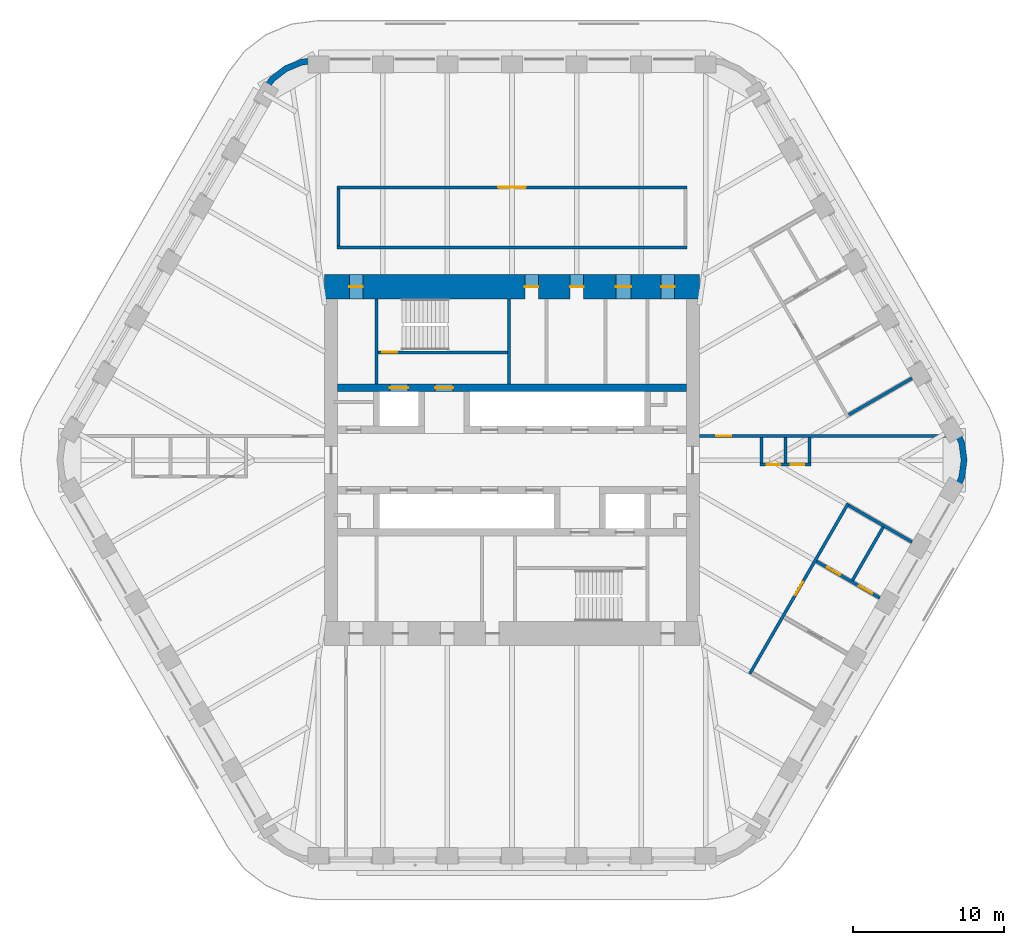
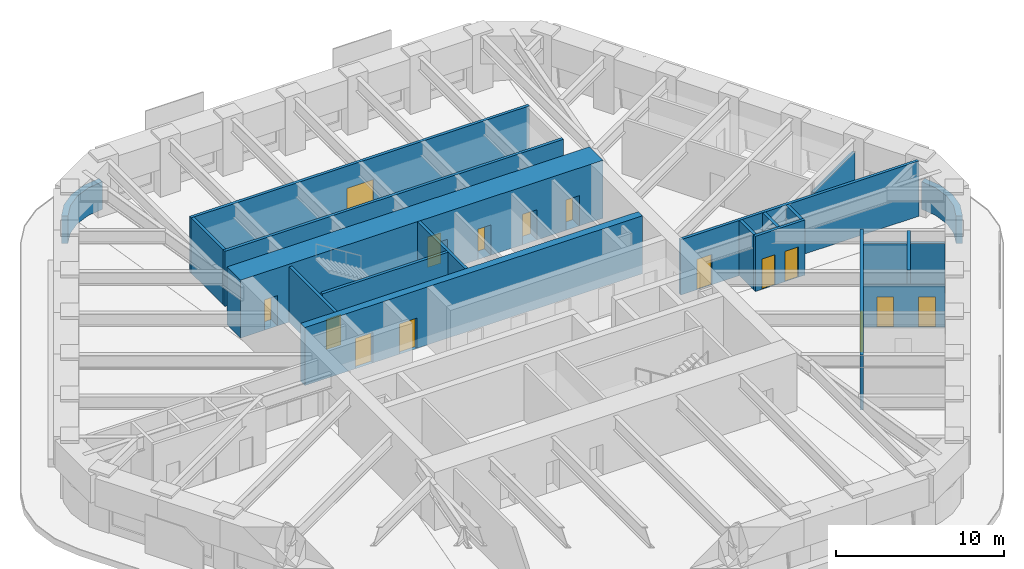
# One storey, part 15 of 18: 20 walls, 15 doors, 15 openings.
"""IFC4 building model written with IfcOpenShell, lengths in metres."""

from ifc_helpers import new_model, si_unit, direction, frame, frame_2d, origin, place, context, subcontext, project, spatial, polyline, rectangle, outline, extrude, material, layer, layer_set, type_object, element, fill, save


model = new_model("IFC4")

# Units and contexts
model_context = context("Model", 3, precision=1e-05, world=origin(), true_north=direction((0.0, 1.0)))
body_context = subcontext(model_context, "Body", "Model", "MODEL_VIEW")
ifc_project = project(units=[si_unit("LENGTHUNIT", "METRE"), si_unit("AREAUNIT", "SQUARE_METRE"), si_unit("VOLUMEUNIT", "CUBIC_METRE"), si_unit("PLANEANGLEUNIT", "RADIAN"), si_unit("MASSUNIT", "GRAM", prefix="KILO")], contexts=[model_context])

# Site, building, storey
site_placement = place(None, origin())
site = spatial("IfcSite", under=ifc_project, at=site_placement, CompositionType="ELEMENT")
building_placement = place(site_placement, origin())
building = spatial("IfcBuilding", under=site, at=building_placement, Name="Tarfa Lantern Tower", CompositionType="ELEMENT")
storey_placement = place(building_placement, frame((0.0, 0.0, 319.89990234375)))
storey = spatial("IfcBuildingStorey", under=building, at=storey_placement, Name="L72", CompositionType="ELEMENT", Elevation=319.89990234375)

# Walls
ifc_material_1 = material(Name="Limestone cladding on blockwork", Category="masonry")
ifc_layer_1 = layer(ifc_material_1, 0.39990234375)
ifc_layer_set_1 = layer_set([ifc_layer_1], Name="EW2 CURVED STONE CORNER 400")
wall_type_1 = type_object("IfcWallType", Name="EW2 CURVED STONE CORNER 400", PredefinedType="SOLIDWALL", material=ifc_layer_set_1)
wall_1_placement = place(storey_placement, origin())
element("IfcWall", 1, at=wall_1_placement, inside=storey, type_object=wall_type_1, Name="Stone corner N-NW", PredefinedType="SOLIDWALL", context=body_context, shape_type="SweptSolid", body=[
    extrude(outline(polyline([(-12.845947265625, 26.75), (-14.0107421875, 26.5966796875), (-15.095947265625, 26.147216796875), (-16.028076171875, 25.431884765625), (-16.7431640625, 24.5), (-16.396728515625, 24.300048828125), (-15.7451171875, 25.149169921875), (-14.89599609375, 25.80078125), (-13.9072265625, 26.210205078125), (-12.845947265625, 26.35009765625), (-12.845947265625, 26.75)])), origin(), (0.0, 0.0, 1.0), 2.0),
])
wall_2_placement = place(storey_placement, origin())
element("IfcWall", 2, at=wall_2_placement, inside=storey, type_object=wall_type_1, Name="Stone corner SE-NE", PredefinedType="SOLIDWALL", context=body_context, shape_type="SweptSolid", body=[
    extrude(outline(polyline([(29.589111328125, -2.25), (30.038818359375, -1.164794921875), (30.192138671875, 0.0), (30.038818359375, 1.164794921875), (29.589111328125, 2.25), (29.24267578125, 2.050048828125), (29.65234375, 1.061279296875), (29.7919921875, 0.0), (29.65234375, -1.061279296875), (29.24267578125, -2.050048828125), (29.589111328125, -2.25)])), origin(), (0.0, 0.0, 1.0), 2.0),
])
ifc_material_2 = material(Name="Concrete blockwork", Category="masonry")
ifc_layer_2 = layer(ifc_material_2, 0.199951171875)
ifc_layer_set_2 = layer_set([ifc_layer_2], Name="IW1 BLOCKWORK PARTITION 200 EI 120")
wall_type_2 = type_object("IfcWallType", Name="IW1 BLOCKWORK PARTITION 200 EI 120", PredefinedType="PARTITIONING", material=ifc_layer_set_2)
wall_3_placement = place(storey_placement, frame((-9.0, 5.050048828125, 0.0), z_axis=(0.0, 0.0, 1.0), x_axis=(0.0, 1.0, 0.0)))
element("IfcWall", 3, at=wall_3_placement, inside=storey, type_object=wall_type_2, Name="Core partition", PredefinedType="PARTITIONING", context=body_context, shape_type="SweptSolid", body=[
    extrude(rectangle(XDim=5.64990234375, YDim=0.199951171875, at=frame_2d((2.824951171875, 0.0))), origin(), (0.0, 0.0, 1.0), 4.0),
])
ifc_material_3 = material(Name="Gypsum board on steel studs", Category="steel")
ifc_layer_3 = layer(ifc_material_3, 0.2099609375)
ifc_layer_set_3 = layer_set([ifc_layer_3], Name="IW2 ACOUSTIC PARTITION 200")
wall_type_3 = type_object("IfcWallType", Name="IW2 ACOUSTIC PARTITION 200", PredefinedType="PARTITIONING", material=ifc_layer_set_3)
wall_4_placement = place(storey_placement, frame((-11.60009765625, 14.10009765625, 0.0), z_axis=(0.0, 0.0, 1.0), x_axis=(1.0, 0.0, 0.0)))
element("IfcWall", 4, at=wall_4_placement, inside=storey, type_object=wall_type_3, Name="Partition", PredefinedType="PARTITIONING", context=body_context, shape_type="SweptSolid", body=[
    extrude(rectangle(XDim=23.2001953125, YDim=0.199951171875, at=frame_2d((11.60009765625, 0.0))), origin(), (0.0, 0.0, 1.0), 4.0),
])

# Wall, opening, door
wall_5_placement = place(storey_placement, frame((-11.60009765625, 18.10009765625, 0.0), z_axis=(0.0, 0.0, 1.0), x_axis=(1.0, 0.0, 0.0)))
wall_5 = element("IfcWall", 5, at=wall_5_placement, inside=storey, type_object=wall_type_3, Name="Partition", PredefinedType="PARTITIONING", context=body_context, shape_type="SweptSolid", body=[
    extrude(rectangle(XDim=23.2001953125, YDim=0.199951171875, at=frame_2d((11.60009765625, 0.0))), origin(), (0.0, 0.0, 1.0), 4.0),
])
opening_1_placement = place(wall_5_placement, frame((10.699951171875, 0.0, 0.0)))
opening_1 = element("IfcOpeningElement", 6, at=opening_1_placement, cuts=wall_5, Name="Opening D29", PredefinedType="OPENING", context=body_context, shape_type="SweptSolid", body=[
    extrude(rectangle(XDim=1.800048828125, YDim=2.39990234375, at=frame_2d((0.89990234375, 1.199951171875))), frame((0.0, 0.10986328125, 0.0), z_axis=(0.0, -1.0, 0.0), x_axis=(1.0, 0.0, 0.0)), (0.0, 0.0, 1.0), 0.219970703125),
])
ifc_material_4 = material(Name="Timber door", Category="wood")
door_type_1 = type_object("IfcDoorType", Name="DR2 ROOM DOOR 1800x2400", OperationType="DOUBLE_DOOR_SINGLE_SWING", PredefinedType="DOOR", material=ifc_material_4)
door_1_placement = place(opening_1_placement, frame((1.800048828125, 0.0, 0.0), z_axis=(0.0, 0.0, 1.0), x_axis=(-1.0, 0.0, 0.0)))
door_1 = element("IfcDoor", 7, at=door_1_placement, inside=storey, type_object=door_type_1, Name="Meeting room door", OperationType="DOUBLE_DOOR_SINGLE_SWING", OverallHeight=2.39990234375, OverallWidth=1.800048828125, PredefinedType="DOOR", context=body_context, shape_type="SweptSolid", body=[
    extrude(rectangle(XDim=1.800048828125, YDim=2.39990234375, at=frame_2d((0.89990234375, 1.199951171875))), frame((0.0, 0.02490234375, 0.0), z_axis=(0.0, -1.0, 0.0), x_axis=(1.0, 0.0, 0.0)), (0.0, 0.0, 1.0), 0.050048828125),
])
fill(opening_1, door_1)

# Walls
wall_6_placement = place(storey_placement, frame((-11.5, 14.199951171875, 0.0), z_axis=(0.0, 0.0, 1.0), x_axis=(0.0, 1.0, 0.0)))
element("IfcWall", 8, at=wall_6_placement, inside=storey, type_object=wall_type_3, Name="Partition", PredefinedType="PARTITIONING", context=body_context, shape_type="SweptSolid", body=[
    extrude(rectangle(XDim=3.800048828125, YDim=0.199951171875, at=frame_2d((1.89990234375, 0.0))), origin(), (0.0, 0.0, 1.0), 4.0),
])
wall_7_placement = place(storey_placement, frame((22.338623046875, 3.00830078125, 0.0), z_axis=(0.0, 0.0, 1.0), x_axis=(0.866019606374, 0.500010041276, 0.0)))
element("IfcWall", 9, at=wall_7_placement, inside=storey, type_object=wall_type_3, Name="Partition", PredefinedType="PARTITIONING", context=body_context, shape_type="SweptSolid", body=[
    extrude(rectangle(XDim=4.85009765625, YDim=0.199951171875, at=frame_2d((2.425048828125, 0.0))), origin(), (0.0, 0.0, 1.0), 3.081787109375),
])

# Wall, opening, door
wall_8_placement = place(storey_placement, frame((15.779052734375, -14.169921875, 0.0), z_axis=(0.0, 0.0, 1.0), x_axis=(0.499999460936, 0.866025715013, 0.0)))
wall_8 = element("IfcWall", 10, at=wall_8_placement, inside=storey, type_object=wall_type_3, Name="Partition", PredefinedType="PARTITIONING", context=body_context, shape_type="SweptSolid", body=[
    extrude(rectangle(XDim=13.0458984375, YDim=0.199951171875, at=frame_2d((6.52294921875, 0.0))), origin(), (0.0, 0.0, 1.0), 4.0),
])
opening_2_placement = place(wall_8_placement, frame((6.02294921875, 0.0, 0.0)))
opening_2 = element("IfcOpeningElement", 11, at=opening_2_placement, cuts=wall_8, Name="Opening D26", PredefinedType="OPENING", context=body_context, shape_type="SweptSolid", body=[
    extrude(rectangle(XDim=1.0, YDim=2.199951171875, at=frame_2d((0.5, 1.10009765625))), frame((0.0, 0.10986328125, 0.0), z_axis=(0.0, -1.0, 0.0), x_axis=(1.0, 0.0, 0.0)), (0.0, 0.0, 1.0), 0.219970703125),
])
door_type_2 = type_object("IfcDoorType", Name="DR1 ROOM DOOR 1000x2200", OperationType="SINGLE_SWING_LEFT", PredefinedType="DOOR", material=ifc_material_4)
door_2_placement = place(opening_2_placement, frame((1.0, 0.0, 0.0), z_axis=(0.0, 0.0, 1.0), x_axis=(-1.0, 0.0, 0.0)))
door_2 = element("IfcDoor", 12, at=door_2_placement, inside=storey, type_object=door_type_2, Name="PA area door", OperationType="SINGLE_SWING_RIGHT", OverallHeight=2.199951171875, OverallWidth=1.0, PredefinedType="DOOR", context=body_context, shape_type="SweptSolid", body=[
    extrude(rectangle(XDim=1.0, YDim=2.199951171875, at=frame_2d((0.5, 1.10009765625))), frame((0.0, 0.02490234375, 0.0), z_axis=(0.0, -1.0, 0.0), x_axis=(1.0, 0.0, 0.0)), (0.0, 0.0, 1.0), 0.050048828125),
])
fill(opening_2, door_2)

# Wall, openings, doors
wall_9_placement = place(storey_placement, frame((20.19775390625, -6.716552734375, 0.0), z_axis=(0.0, 0.0, 1.0), x_axis=(0.866019606374, -0.500010041276, 0.0)))
wall_9 = element("IfcWall", 13, at=wall_9_placement, inside=storey, type_object=wall_type_3, Name="Partition", PredefinedType="PARTITIONING", context=body_context, shape_type="SweptSolid", body=[
    extrude(rectangle(XDim=4.85009765625, YDim=0.199951171875, at=frame_2d((2.425048828125, 0.0))), origin(), (0.0, 0.0, 1.0), 2.991943359375),
])
opening_3_placement = place(wall_9_placement, frame((0.800048828125, 0.0, 0.0)))
opening_3 = element("IfcOpeningElement", 14, at=opening_3_placement, cuts=wall_9, Name="Opening D27", PredefinedType="OPENING", context=body_context, shape_type="SweptSolid", body=[
    extrude(rectangle(XDim=1.0, YDim=2.199951171875, at=frame_2d((0.5, 1.10009765625))), frame((0.0, 0.10986328125, 0.0), z_axis=(0.0, -1.0, 0.0), x_axis=(1.0, 0.0, 0.0)), (0.0, 0.0, 1.0), 0.219970703125),
])
opening_4_placement = place(wall_9_placement, frame((3.27490234375, 0.0, 0.0)))
opening_4 = element("IfcOpeningElement", 15, at=opening_4_placement, cuts=wall_9, Name="Opening D28", PredefinedType="OPENING", context=body_context, shape_type="SweptSolid", body=[
    extrude(rectangle(XDim=1.0, YDim=2.199951171875, at=frame_2d((0.5, 1.10009765625))), frame((0.0, 0.10986328125, 0.0), z_axis=(0.0, -1.0, 0.0), x_axis=(1.0, 0.0, 0.0)), (0.0, 0.0, 1.0), 0.219970703125),
])
door_3_placement = place(opening_3_placement, origin())
door_3 = element("IfcDoor", 16, at=door_3_placement, inside=storey, type_object=door_type_2, Name="Meeting room door", OperationType="SINGLE_SWING_RIGHT", OverallHeight=2.199951171875, OverallWidth=1.0, PredefinedType="DOOR", context=body_context, shape_type="SweptSolid", body=[
    extrude(rectangle(XDim=1.0, YDim=2.199951171875, at=frame_2d((0.5, 1.10009765625))), frame((0.0, 0.02490234375, 0.0), z_axis=(0.0, -1.0, 0.0), x_axis=(1.0, 0.0, 0.0)), (0.0, 0.0, 1.0), 0.050048828125),
])
fill(opening_3, door_3)
door_4_placement = place(opening_4_placement, origin())
door_4 = element("IfcDoor", 17, at=door_4_placement, inside=storey, type_object=door_type_2, Name="Pantry door", OperationType="SINGLE_SWING_RIGHT", OverallHeight=2.199951171875, OverallWidth=1.0, PredefinedType="DOOR", context=body_context, shape_type="SweptSolid", body=[
    extrude(rectangle(XDim=1.0, YDim=2.199951171875, at=frame_2d((0.5, 1.10009765625))), frame((0.0, 0.02490234375, 0.0), z_axis=(0.0, -1.0, 0.0), x_axis=(1.0, 0.0, 0.0)), (0.0, 0.0, 1.0), 0.050048828125),
])
fill(opening_4, door_4)

# Walls
wall_10_placement = place(storey_placement, frame((22.338623046875, -3.00830078125, 0.0), z_axis=(0.0, 0.0, 1.0), x_axis=(0.866019606374, -0.500010041276, 0.0)))
element("IfcWall", 18, at=wall_10_placement, inside=storey, type_object=wall_type_3, Name="Partition", PredefinedType="PARTITIONING", context=body_context, shape_type="SweptSolid", body=[
    extrude(rectangle(XDim=4.85009765625, YDim=0.199951171875, at=frame_2d((2.425048828125, 0.0))), origin(), (0.0, 0.0, 1.0), 3.081787109375),
])
wall_11_placement = place(storey_placement, frame((22.5859375, -7.97998046875, 0.0), z_axis=(0.0, 0.0, 1.0), x_axis=(0.499998569178, 0.866026229868, 0.0)))
element("IfcWall", 19, at=wall_11_placement, inside=storey, type_object=wall_type_3, Name="Partition", PredefinedType="PARTITIONING", context=body_context, shape_type="SweptSolid", body=[
    extrude(rectangle(XDim=4.08203125, YDim=0.199951171875, at=frame_2d((2.041015625, 0.0))), origin(), (0.0, 0.0, 1.0), 4.0),
])

# Wall, opening, door
wall_12_placement = place(storey_placement, frame((12.425048828125, 1.60009765625, 0.0), z_axis=(0.0, 0.0, 1.0), x_axis=(1.0, 0.0, 0.0)))
wall_12 = element("IfcWall", 20, at=wall_12_placement, inside=storey, type_object=wall_type_3, Name="Partition", PredefinedType="PARTITIONING", context=body_context, shape_type="SweptSolid", body=[
    extrude(rectangle(XDim=16.326904296875, YDim=0.199951171875, at=frame_2d((8.16357421875, 0.0))), origin(), (0.0, 0.0, 1.0), 4.0),
])
opening_5_placement = place(wall_12_placement, frame((1.1328125, 0.0, 0.0)))
opening_5 = element("IfcOpeningElement", 21, at=opening_5_placement, cuts=wall_12, Name="Opening D35", PredefinedType="OPENING", context=body_context, shape_type="SweptSolid", body=[
    extrude(rectangle(XDim=1.0, YDim=2.199951171875, at=frame_2d((0.5, 1.10009765625))), frame((0.0, 0.10986328125, 0.0), z_axis=(0.0, -1.0, 0.0), x_axis=(1.0, 0.0, 0.0)), (0.0, 0.0, 1.0), 0.219970703125),
])
door_5_placement = place(opening_5_placement, frame((1.0, 0.0, 0.0), z_axis=(0.0, 0.0, 1.0), x_axis=(-1.0, 0.0, 0.0)))
door_5 = element("IfcDoor", 22, at=door_5_placement, inside=storey, type_object=door_type_2, Name="Zone door", OperationType="SINGLE_SWING_LEFT", OverallHeight=2.199951171875, OverallWidth=1.0, PredefinedType="DOOR", context=body_context, shape_type="SweptSolid", body=[
    extrude(rectangle(XDim=1.0, YDim=2.199951171875, at=frame_2d((0.5, 1.10009765625))), frame((0.0, 0.02490234375, 0.0), z_axis=(0.0, -1.0, 0.0), x_axis=(1.0, 0.0, 0.0)), (0.0, 0.0, 1.0), 0.050048828125),
])
fill(opening_5, door_5)

# Wall, openings, doors
wall_13_placement = place(storey_placement, frame((16.439453125, -0.300048828125, 0.0), z_axis=(0.0, 0.0, 1.0), x_axis=(1.0, 0.0, 0.0)))
wall_13 = element("IfcWall", 23, at=wall_13_placement, inside=storey, type_object=wall_type_3, Name="Partition", PredefinedType="PARTITIONING", context=body_context, shape_type="SweptSolid", body=[
    extrude(rectangle(XDim=3.39990234375, YDim=0.199951171875, at=frame_2d((1.699951171875, 0.0))), origin(), (0.0, 0.0, 1.0), 4.0),
])
opening_6_placement = place(wall_13_placement, frame((0.449951171875, 0.0, 0.0)))
opening_6 = element("IfcOpeningElement", 24, at=opening_6_placement, cuts=wall_13, Name="Opening D33", PredefinedType="OPENING", context=body_context, shape_type="SweptSolid", body=[
    extrude(rectangle(XDim=0.89990234375, YDim=2.199951171875, at=frame_2d((0.449951171875, 1.10009765625))), frame((0.0, 0.10986328125, 0.0), z_axis=(0.0, -1.0, 0.0), x_axis=(1.0, 0.0, 0.0)), (0.0, 0.0, 1.0), 0.219970703125),
])
opening_7_placement = place(wall_13_placement, frame((2.050048828125, 0.0, 0.0)))
opening_7 = element("IfcOpeningElement", 25, at=opening_7_placement, cuts=wall_13, Name="Opening D34", PredefinedType="OPENING", context=body_context, shape_type="SweptSolid", body=[
    extrude(rectangle(XDim=0.89990234375, YDim=2.199951171875, at=frame_2d((0.449951171875, 1.10009765625))), frame((0.0, 0.10986328125, 0.0), z_axis=(0.0, -1.0, 0.0), x_axis=(1.0, 0.0, 0.0)), (0.0, 0.0, 1.0), 0.219970703125),
])
door_type_3 = type_object("IfcDoorType", Name="DR3 ROOM DOOR 900x2200", OperationType="SINGLE_SWING_LEFT", PredefinedType="DOOR", material=ifc_material_4)
door_6_placement = place(opening_6_placement, origin())
door_6 = element("IfcDoor", 26, at=door_6_placement, inside=storey, type_object=door_type_3, Name="Phone booth door", OperationType="SINGLE_SWING_RIGHT", OverallHeight=2.199951171875, OverallWidth=0.89990234375, PredefinedType="DOOR", context=body_context, shape_type="SweptSolid", body=[
    extrude(rectangle(XDim=0.89990234375, YDim=2.199951171875, at=frame_2d((0.449951171875, 1.10009765625))), frame((0.0, 0.02490234375, 0.0), z_axis=(0.0, -1.0, 0.0), x_axis=(1.0, 0.0, 0.0)), (0.0, 0.0, 1.0), 0.050048828125),
])
fill(opening_6, door_6)
door_7_placement = place(opening_7_placement, origin())
door_7 = element("IfcDoor", 27, at=door_7_placement, inside=storey, type_object=door_type_3, Name="Phone booth door", OperationType="SINGLE_SWING_LEFT", OverallHeight=2.199951171875, OverallWidth=0.89990234375, PredefinedType="DOOR", context=body_context, shape_type="SweptSolid", body=[
    extrude(rectangle(XDim=0.89990234375, YDim=2.199951171875, at=frame_2d((0.449951171875, 1.10009765625))), frame((0.0, 0.02490234375, 0.0), z_axis=(0.0, -1.0, 0.0), x_axis=(1.0, 0.0, 0.0)), (0.0, 0.0, 1.0), 0.050048828125),
])
fill(opening_7, door_7)

# Walls
for number, where, z_axis, x_axis, name in (
    (28, (16.53955078125, 1.5, 0.0), (0.0, 0.0, 1.0), (0.0, -1.0, 0.0), "Partition"),
    (29, (18.139404296875, 1.5, 0.0), (0.0, 0.0, 1.0), (0.0, -1.0, 0.0), "Partition"),
    (30, (19.739501953125, 1.5, 0.0), (0.0, 0.0, 1.0), (0.0, -1.0, 0.0), "Partition"),
):
    element("IfcWall", number, at=place(storey_placement, frame(where, z_axis=z_axis, x_axis=x_axis)), inside=storey, type_object=wall_type_3, Name=name, PredefinedType="PARTITIONING", context=body_context, shape_type="SweptSolid", body=[
        extrude(rectangle(XDim=1.699951171875, YDim=0.199951171875, at=frame_2d((0.85009765625, 0.0))), origin(), (0.0, 0.0, 1.0), 4.0),
    ])
ifc_material_5 = material(Name="Concrete C80/95", Category="concrete")
ifc_layer_4 = layer(ifc_material_5, 0.199951171875)
ifc_layer_set_4 = layer_set([ifc_layer_4], Name="SW12 CORE WALL 200")
wall_type_4 = type_object("IfcWallType", Name="SW12 CORE WALL 200", PredefinedType="SHEAR", material=ifc_layer_set_4)
wall_14_placement = place(storey_placement, frame((-0.199951171875, 5.050048828125, 0.0), z_axis=(0.0, 0.0, 1.0), x_axis=(0.0, 1.0, 0.0)))
element("IfcWall", 31, at=wall_14_placement, inside=storey, type_object=wall_type_4, Name="Core wall stair shaft N", PredefinedType="SHEAR", context=body_context, shape_type="SweptSolid", body=[
    extrude(rectangle(XDim=5.64990234375, YDim=0.199951171875, at=frame_2d((2.824951171875, 0.0))), origin(), (0.0, 0.0, 1.0), 4.2001953125),
])

# Wall, opening, door
wall_15_placement = place(storey_placement, frame((-8.89990234375, 7.14990234375, 0.0), z_axis=(0.0, 0.0, 1.0), x_axis=(1.0, 0.0, 0.0)))
wall_15 = element("IfcWall", 32, at=wall_15_placement, inside=storey, type_object=wall_type_4, Name="Core wall stair partition N", PredefinedType="SHEAR", context=body_context, shape_type="SweptSolid", body=[
    extrude(rectangle(XDim=8.599853515625, YDim=0.199951171875, at=frame_2d((4.2998046875, 0.0))), origin(), (0.0, 0.0, 1.0), 4.2001953125),
])
opening_8_placement = place(wall_15_placement, frame((0.300048828125, 0.0, 0.0)))
opening_8 = element("IfcOpeningElement", 33, at=opening_8_placement, cuts=wall_15, Name="Opening D19", PredefinedType="OPENING", context=body_context, shape_type="SweptSolid", body=[
    extrude(rectangle(XDim=1.0, YDim=2.199951171875, at=frame_2d((0.5, 1.10009765625))), frame((0.0, 0.10986328125, 0.0), z_axis=(0.0, -1.0, 0.0), x_axis=(1.0, 0.0, 0.0)), (0.0, 0.0, 1.0), 0.219970703125),
])
ifc_material_6 = material(Name="Steel fire door", Category="steel")
door_type_4 = type_object("IfcDoorType", Name="DF2 STAIR DOOR 1000x2200", OperationType="SINGLE_SWING_LEFT", PredefinedType="DOOR", material=ifc_material_6)
door_8_placement = place(opening_8_placement, origin())
door_8 = element("IfcDoor", 34, at=door_8_placement, inside=storey, type_object=door_type_4, Name="Stair door", OperationType="SINGLE_SWING_RIGHT", OverallHeight=2.199951171875, OverallWidth=1.0, PredefinedType="DOOR", context=body_context, shape_type="SweptSolid", body=[
    extrude(rectangle(XDim=1.0, YDim=2.199951171875, at=frame_2d((0.5, 1.10009765625))), frame((0.0, 0.02490234375, 0.0), z_axis=(0.0, -1.0, 0.0), x_axis=(1.0, 0.0, 0.0)), (0.0, 0.0, 1.0), 0.050048828125),
])
fill(opening_8, door_8)

# Wall, openings, doors
ifc_layer_5 = layer(ifc_material_5, 0.5)
ifc_layer_set_5 = layer_set([ifc_layer_5], Name="SW5 CORE WALL 500")
wall_type_5 = type_object("IfcWallType", Name="SW5 CORE WALL 500", PredefinedType="SHEAR", material=ifc_layer_set_5)
wall_16_placement = place(storey_placement, frame((-11.574951171875, 4.800048828125, 0.0), z_axis=(0.0, 0.0, 1.0), x_axis=(1.0, 0.0, 0.0)))
wall_16 = element("IfcWall", 35, at=wall_16_placement, inside=storey, type_object=wall_type_5, Name="Core wall rear N", PredefinedType="SHEAR", context=body_context, shape_type="SweptSolid", body=[
    extrude(rectangle(XDim=23.14990234375, YDim=0.5, at=frame_2d((11.574951171875, 0.0))), origin(), (0.0, 0.0, 1.0), 4.2001953125),
])
opening_9_placement = place(wall_16_placement, frame((6.47509765625, 0.0, 0.0)))
opening_9 = element("IfcOpeningElement", 36, at=opening_9_placement, cuts=wall_16, Name="Opening D05", PredefinedType="OPENING", context=body_context, shape_type="SweptSolid", body=[
    extrude(rectangle(XDim=1.199951171875, YDim=2.199951171875, at=frame_2d((0.60009765625, 1.10009765625))), frame((0.0, 0.260009765625, 0.0), z_axis=(0.0, -1.0, 0.0), x_axis=(1.0, 0.0, 0.0)), (0.0, 0.0, 1.0), 0.52001953125),
])
opening_10_placement = place(wall_16_placement, frame((3.47509765625, 0.0, 0.0)))
opening_10 = element("IfcOpeningElement", 37, at=opening_10_placement, cuts=wall_16, Name="Opening LD01", PredefinedType="OPENING", context=body_context, shape_type="SweptSolid", body=[
    extrude(rectangle(XDim=1.199951171875, YDim=2.199951171875, at=frame_2d((0.60009765625, 1.10009765625))), frame((0.0, 0.260009765625, 0.0), z_axis=(0.0, -1.0, 0.0), x_axis=(1.0, 0.0, 0.0)), (0.0, 0.0, 1.0), 0.52001953125),
])
door_type_5 = type_object("IfcDoorType", Name="DF1 FIREFIGHTING LOBBY DOOR 1200x2200", OperationType="SINGLE_SWING_LEFT", PredefinedType="DOOR", material=ifc_material_6)
door_9_placement = place(opening_9_placement, origin())
door_9 = element("IfcDoor", 38, at=door_9_placement, inside=storey, type_object=door_type_5, Name="Firefighting lobby door", OperationType="SINGLE_SWING_LEFT", OverallHeight=2.199951171875, OverallWidth=1.199951171875, PredefinedType="DOOR", context=body_context, shape_type="SweptSolid", body=[
    extrude(rectangle(XDim=1.199951171875, YDim=2.199951171875, at=frame_2d((0.60009765625, 1.10009765625))), frame((0.0, 0.02490234375, 0.0), z_axis=(0.0, -1.0, 0.0), x_axis=(1.0, 0.0, 0.0)), (0.0, 0.0, 1.0), 0.050048828125),
])
fill(opening_9, door_9)
ifc_material_7 = material(Name="Stainless steel lift door", Category="steel")
door_type_6 = type_object("IfcDoorType", Name="LD1 LIFT LANDING DOOR 1200x2200", OperationType="SLIDING_TO_LEFT", PredefinedType="DOOR", material=ifc_material_7)
door_10_placement = place(opening_10_placement, origin())
door_10 = element("IfcDoor", 39, at=door_10_placement, inside=storey, type_object=door_type_6, Name="Landing door FL1", OperationType="SLIDING_TO_LEFT", OverallHeight=2.199951171875, OverallWidth=1.199951171875, PredefinedType="DOOR", context=body_context, shape_type="SweptSolid", body=[
    extrude(rectangle(XDim=1.199951171875, YDim=2.199951171875, at=frame_2d((0.60009765625, 1.10009765625))), frame((0.0, 0.02490234375, 0.0), z_axis=(0.0, -1.0, 0.0), x_axis=(1.0, 0.0, 0.0)), (0.0, 0.0, 1.0), 0.050048828125),
])
fill(opening_10, door_10)

ifc_layer_6 = layer(ifc_material_5, 1.60009765625)
ifc_layer_set_6 = layer_set([ifc_layer_6], Name="SW7 CORE WALL 1600")
wall_type_6 = type_object("IfcWallType", Name="SW7 CORE WALL 1600", PredefinedType="SHEAR", material=ifc_layer_set_6)
wall_17_placement = place(storey_placement, frame((-12.425048828125, 11.5, 0.0), z_axis=(0.0, 0.0, 1.0), x_axis=(1.0, 0.0, 0.0)))
wall_17 = element("IfcWall", 40, at=wall_17_placement, inside=storey, type_object=wall_type_6, Name="Core wall N", PredefinedType="SHEAR", context=body_context, shape_type="SweptSolid", body=[
    extrude(rectangle(XDim=24.85009765625, YDim=1.60009765625, at=frame_2d((12.425048828125, 0.0))), origin(), (0.0, 0.0, 1.0), 4.2001953125),
])
opening_11_placement = place(wall_17_placement, frame((13.27490234375, 0.0, 0.0)))
opening_11 = element("IfcOpeningElement", 41, at=opening_11_placement, cuts=wall_17, Name="Opening D13", PredefinedType="OPENING", context=body_context, shape_type="SweptSolid", body=[
    extrude(rectangle(XDim=0.89990234375, YDim=2.199951171875, at=frame_2d((0.449951171875, 1.10009765625))), frame((0.0, 0.81005859375, 0.0), z_axis=(0.0, -1.0, 0.0), x_axis=(1.0, 0.0, 0.0)), (0.0, 0.0, 1.0), 1.6201171875),
])
opening_12_placement = place(wall_17_placement, frame((16.27490234375, 0.0, 0.0)))
opening_12 = element("IfcOpeningElement", 42, at=opening_12_placement, cuts=wall_17, Name="Opening D15", PredefinedType="OPENING", context=body_context, shape_type="SweptSolid", body=[
    extrude(rectangle(XDim=0.89990234375, YDim=2.199951171875, at=frame_2d((0.449951171875, 1.10009765625))), frame((0.0, 0.81005859375, 0.0), z_axis=(0.0, -1.0, 0.0), x_axis=(1.0, 0.0, 0.0)), (0.0, 0.0, 1.0), 1.6201171875),
])
opening_13_placement = place(wall_17_placement, frame((19.324951171875, 0.0, 0.0)))
opening_13 = element("IfcOpeningElement", 43, at=opening_13_placement, cuts=wall_17, Name="Opening D17", PredefinedType="OPENING", context=body_context, shape_type="SweptSolid", body=[
    extrude(rectangle(XDim=1.0, YDim=2.199951171875, at=frame_2d((0.5, 1.10009765625))), frame((0.0, 0.81005859375, 0.0), z_axis=(0.0, -1.0, 0.0), x_axis=(1.0, 0.0, 0.0)), (0.0, 0.0, 1.0), 1.6201171875),
])
opening_14_placement = place(wall_17_placement, frame((1.637451171875, 0.0, 0.0)))
opening_14 = element("IfcOpeningElement", 44, at=opening_14_placement, cuts=wall_17, Name="Opening D03", PredefinedType="OPENING", context=body_context, shape_type="SweptSolid", body=[
    extrude(rectangle(XDim=0.89990234375, YDim=2.199951171875, at=frame_2d((0.449951171875, 1.10009765625))), frame((0.0, 0.81005859375, 0.0), z_axis=(0.0, -1.0, 0.0), x_axis=(1.0, 0.0, 0.0)), (0.0, 0.0, 1.0), 1.6201171875),
])
opening_15_placement = place(wall_17_placement, frame((22.3125, 0.0, 0.0)))
opening_15 = element("IfcOpeningElement", 45, at=opening_15_placement, cuts=wall_17, Name="Opening D01", PredefinedType="OPENING", context=body_context, shape_type="SweptSolid", body=[
    extrude(rectangle(XDim=0.89990234375, YDim=2.199951171875, at=frame_2d((0.449951171875, 1.10009765625))), frame((0.0, 0.81005859375, 0.0), z_axis=(0.0, -1.0, 0.0), x_axis=(1.0, 0.0, 0.0)), (0.0, 0.0, 1.0), 1.6201171875),
])
door_type_7 = type_object("IfcDoorType", Name="DF3 CORE ROOM DOOR 900x2200", OperationType="SINGLE_SWING_LEFT", PredefinedType="DOOR", material=ifc_material_6)
door_11_placement = place(opening_11_placement, frame((0.89990234375, 0.0, 0.0), z_axis=(0.0, 0.0, 1.0), x_axis=(-1.0, 0.0, 0.0)))
door_11 = element("IfcDoor", 46, at=door_11_placement, inside=storey, type_object=door_type_7, Name="Core door", OperationType="SINGLE_SWING_RIGHT", OverallHeight=2.199951171875, OverallWidth=0.89990234375, PredefinedType="DOOR", context=body_context, shape_type="SweptSolid", body=[
    extrude(rectangle(XDim=0.89990234375, YDim=2.199951171875, at=frame_2d((0.449951171875, 1.10009765625))), frame((0.0, 0.02490234375, 0.0), z_axis=(0.0, -1.0, 0.0), x_axis=(1.0, 0.0, 0.0)), (0.0, 0.0, 1.0), 0.050048828125),
])
fill(opening_11, door_11)
door_12_placement = place(opening_12_placement, frame((0.89990234375, 0.0, 0.0), z_axis=(0.0, 0.0, 1.0), x_axis=(-1.0, 0.0, 0.0)))
door_12 = element("IfcDoor", 47, at=door_12_placement, inside=storey, type_object=door_type_7, Name="Core door", OperationType="SINGLE_SWING_RIGHT", OverallHeight=2.199951171875, OverallWidth=0.89990234375, PredefinedType="DOOR", context=body_context, shape_type="SweptSolid", body=[
    extrude(rectangle(XDim=0.89990234375, YDim=2.199951171875, at=frame_2d((0.449951171875, 1.10009765625))), frame((0.0, 0.02490234375, 0.0), z_axis=(0.0, -1.0, 0.0), x_axis=(1.0, 0.0, 0.0)), (0.0, 0.0, 1.0), 0.050048828125),
])
fill(opening_12, door_12)
door_type_8 = type_object("IfcDoorType", Name="DF4 CORE ROOM DOOR 1000x2200", OperationType="SINGLE_SWING_LEFT", PredefinedType="DOOR", material=ifc_material_6)
door_13_placement = place(opening_13_placement, frame((1.0, 0.0, 0.0), z_axis=(0.0, 0.0, 1.0), x_axis=(-1.0, 0.0, 0.0)))
door_13 = element("IfcDoor", 48, at=door_13_placement, inside=storey, type_object=door_type_8, Name="Core door", OperationType="SINGLE_SWING_LEFT", OverallHeight=2.199951171875, OverallWidth=1.0, PredefinedType="DOOR", context=body_context, shape_type="SweptSolid", body=[
    extrude(rectangle(XDim=1.0, YDim=2.199951171875, at=frame_2d((0.5, 1.10009765625))), frame((0.0, 0.02490234375, 0.0), z_axis=(0.0, -1.0, 0.0), x_axis=(1.0, 0.0, 0.0)), (0.0, 0.0, 1.0), 0.050048828125),
])
fill(opening_13, door_13)
door_type_9 = type_object("IfcDoorType", Name="DF5 RISER DOOR 900x2200", OperationType="SINGLE_SWING_LEFT", PredefinedType="DOOR", material=ifc_material_6)
door_14_placement = place(opening_14_placement, frame((0.89990234375, 0.0, 0.0), z_axis=(0.0, 0.0, 1.0), x_axis=(-1.0, 0.0, 0.0)))
door_14 = element("IfcDoor", 49, at=door_14_placement, inside=storey, type_object=door_type_9, Name="Riser door", OperationType="SINGLE_SWING_LEFT", OverallHeight=2.199951171875, OverallWidth=0.89990234375, PredefinedType="DOOR", context=body_context, shape_type="SweptSolid", body=[
    extrude(rectangle(XDim=0.89990234375, YDim=2.199951171875, at=frame_2d((0.449951171875, 1.10009765625))), frame((0.0, 0.02490234375, 0.0), z_axis=(0.0, -1.0, 0.0), x_axis=(1.0, 0.0, 0.0)), (0.0, 0.0, 1.0), 0.050048828125),
])
fill(opening_14, door_14)
door_15_placement = place(opening_15_placement, frame((0.89990234375, 0.0, 0.0), z_axis=(0.0, 0.0, 1.0), x_axis=(-1.0, 0.0, 0.0)))
door_15 = element("IfcDoor", 50, at=door_15_placement, inside=storey, type_object=door_type_9, Name="Riser door", OperationType="SINGLE_SWING_RIGHT", OverallHeight=2.199951171875, OverallWidth=0.89990234375, PredefinedType="DOOR", context=body_context, shape_type="SweptSolid", body=[
    extrude(rectangle(XDim=0.89990234375, YDim=2.199951171875, at=frame_2d((0.449951171875, 1.10009765625))), frame((0.0, 0.02490234375, 0.0), z_axis=(0.0, -1.0, 0.0), x_axis=(1.0, 0.0, 0.0)), (0.0, 0.0, 1.0), 0.050048828125),
])
fill(opening_15, door_15)

save(model, "model.ifc")
